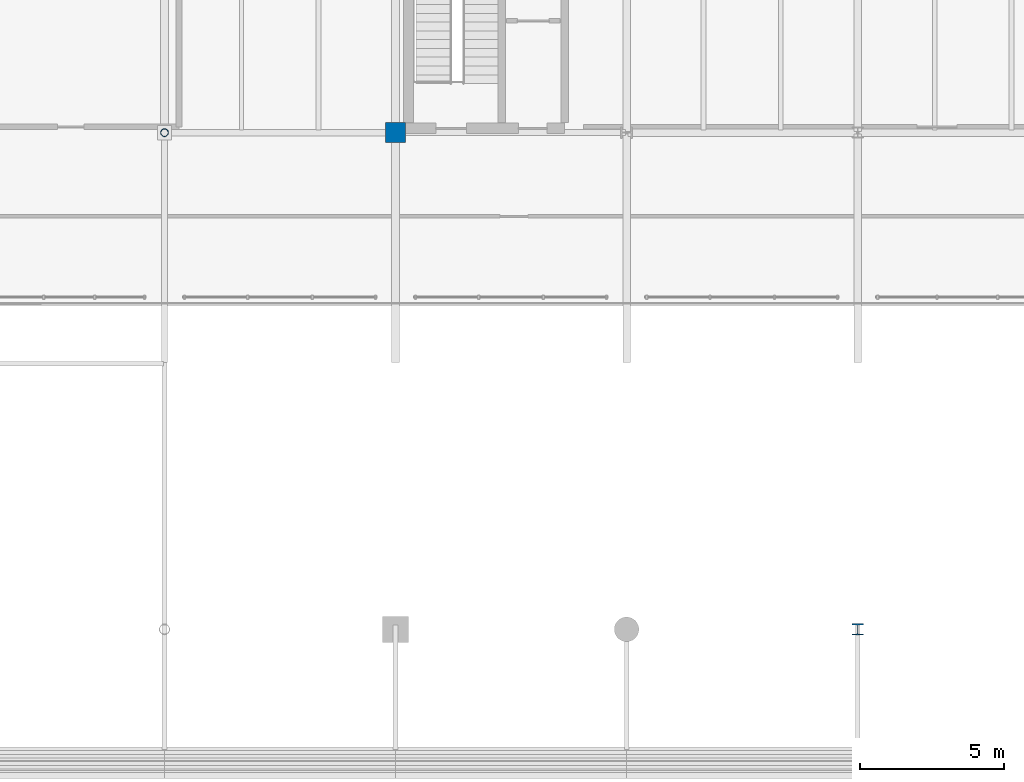
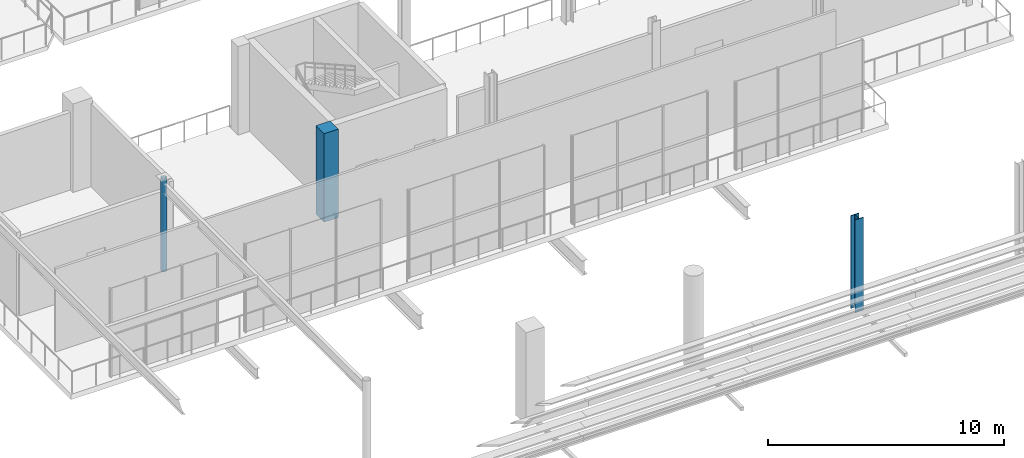
# One storey, part 2 of 70: 3 columns.
"""IFC4 building model written with IfcOpenShell, lengths in metres."""

from ifc_helpers import new_model, si_unit, direction, frame, origin, origin_2d, place, context, subcontext, project, spatial, rectangle, hollow_circle, i_section, extrude, material, material_profile, profile_set, type_object, element, save


model = new_model("IFC4")

# Units and contexts
model_context = context("Model", 3, precision=1e-05, world=origin(), true_north=direction((0.0, 1.0)))
body_context = subcontext(model_context, "Body", "Model", "MODEL_VIEW")
ifc_project = project(units=[si_unit("LENGTHUNIT", "METRE"), si_unit("AREAUNIT", "SQUARE_METRE"), si_unit("VOLUMEUNIT", "CUBIC_METRE"), si_unit("PLANEANGLEUNIT", "RADIAN"), si_unit("MASSUNIT", "GRAM", prefix="KILO")], contexts=[model_context])

# Site, building, storey
site_placement = place(None, origin())
site = spatial("IfcSite", under=ifc_project, at=site_placement, CompositionType="ELEMENT")
building_placement = place(site_placement, origin())
building = spatial("IfcBuilding", under=site, at=building_placement, Name="Brisemont Oceanarium", CompositionType="ELEMENT")
storey_placement = place(building_placement, frame((0.0, 0.0, 10.199951171875)))
storey = spatial("IfcBuildingStorey", under=building, at=storey_placement, Name="L02", CompositionType="ELEMENT", Elevation=10.199951171875)

# Columns
ifc_material_1 = material(Name="Structural Steel ASTM A500 Gr.C", Category="steel")
ifc_material_profile_1 = material_profile(ifc_material_1, hollow_circle(Radius=0.136474609375, WallThickness=0.01171875, at=origin_2d()), Name="HSS10.750X0.500")
ifc_profile_set_1 = profile_set([ifc_material_profile_1], Name="Structural Steel ASTM A500 Gr.C")
column_type_1 = type_object("IfcColumnType", Name="COL-CHS10", PredefinedType="COLUMN", material=ifc_profile_set_1)
column_1_placement = place(storey_placement, frame((16.0, 24.0, 0.0), z_axis=(0.0, 0.0, 1.0), x_axis=(0.0, 1.0, 0.0)))
element("IfcColumn", 1, at=column_1_placement, inside=storey, type_object=column_type_1, Name="V2 L02 column (1,2)", PredefinedType="COLUMN", context=body_context, shape_type="SweptSolid", body=[
    extrude(hollow_circle(Radius=0.136474609375, WallThickness=0.01171875, at=origin_2d()), origin(), (0.0, 0.0, 1.0), 4.800048828125),
])
ifc_material_2 = material(Name="Concrete C35/45", Category="concrete")
ifc_material_profile_2 = material_profile(ifc_material_2, rectangle(XDim=0.699951171875, YDim=0.699951171875, at=origin_2d()), Name="RC-COL-700X700")
ifc_profile_set_2 = profile_set([ifc_material_profile_2], Name="Concrete C35/45")
column_type_2 = type_object("IfcColumnType", Name="COL-RC700", PredefinedType="COLUMN", material=ifc_profile_set_2)
column_2_placement = place(storey_placement, frame((24.0, 24.0, 0.0), z_axis=(0.0, 0.0, 1.0), x_axis=(1.0, 0.0, 0.0)))
element("IfcColumn", 2, at=column_2_placement, inside=storey, type_object=column_type_2, Name="V2 L02 column (2,2)", PredefinedType="COLUMN", context=body_context, shape_type="SweptSolid", body=[
    extrude(rectangle(XDim=0.699951171875, YDim=0.699951171875, at=origin_2d()), origin(), (0.0, 0.0, 1.0), 4.580078125),
])
ifc_material_3 = material(Name="Structural Steel ASTM A992 Gr.50", Category="steel")
ifc_material_profile_3 = material_profile(ifc_material_3, i_section(OverallWidth=0.40087890625, OverallDepth=0.39892578125, WebThickness=0.02490234375, FlangeThickness=0.03955078125, FilletRadius=0.014892578125, at=origin_2d()), Name="W14X211")
ifc_profile_set_3 = profile_set([ifc_material_profile_3], Name="Structural Steel ASTM A992 Gr.50")
column_type_3 = type_object("IfcColumnType", Name="COL-W14X211", PredefinedType="COLUMN", material=ifc_profile_set_3)
column_3_placement = place(storey_placement, frame((40.0, 6.800048828125, 0.0), z_axis=(0.0, 0.0, 1.0), x_axis=(1.0, 0.0, 0.0)))
element("IfcColumn", 3, at=column_3_placement, inside=storey, type_object=column_type_3, Name="V2 L02 column (4,0)", PredefinedType="COLUMN", context=body_context, shape_type="SweptSolid", body=[
    extrude(i_section(OverallWidth=0.40087890625, OverallDepth=0.39892578125, WebThickness=0.02490234375, FlangeThickness=0.03955078125, FilletRadius=0.014892578125, at=origin_2d()), origin(), (0.0, 0.0, 1.0), 4.800048828125),
])

save(model, "model.ifc")
